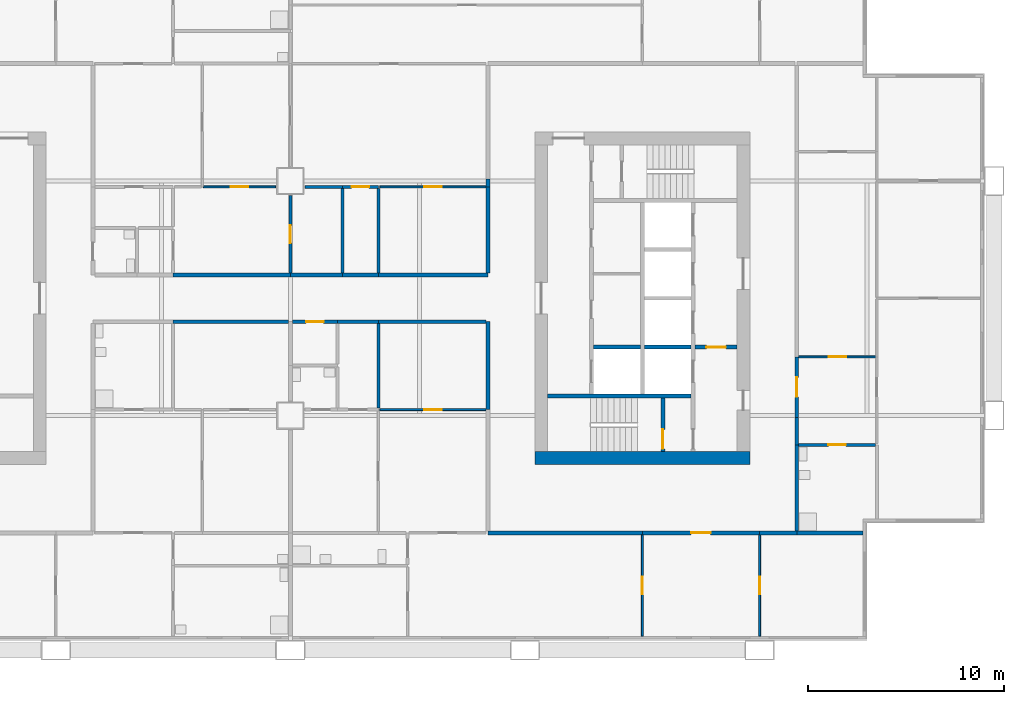
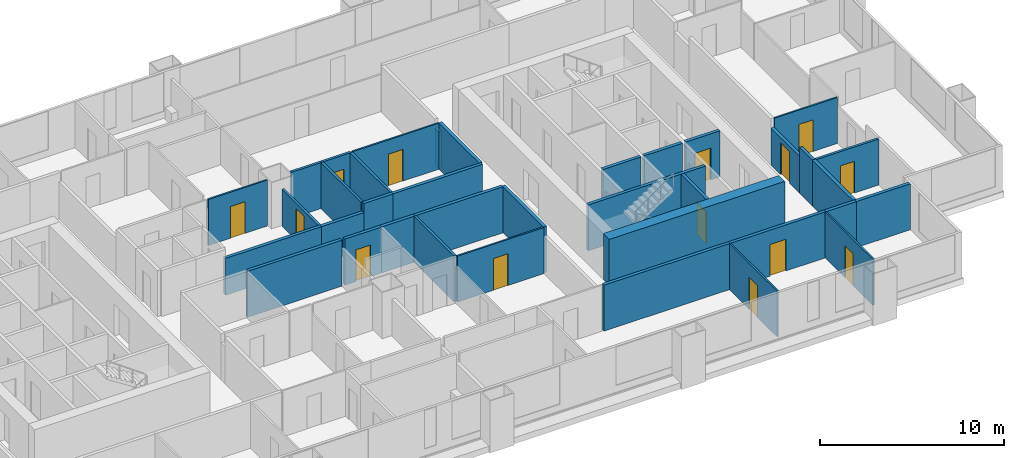
# One storey, part 6 of 11: 37 walls, 14 doors, 14 openings.
"""IFC4 building model written with IfcOpenShell, lengths in metres."""

import ifcopenshell
import ifcopenshell.guid

model = None  # the IFC model being written
_history = None  # IfcOwnerHistory: only IFC2X3 demands one
_inside = {}  # id of a spatial element -> (the spatial element, [elements in it])
_under = {}  # id of a project, library or spatial element -> (it, [spatial elements below it])
_declared = {}  # id of a project -> (the project, [libraries it declares])
_typed = {}  # id of a type object -> (the type object, [elements of that type])
_made_of = {}  # id of a material, layer set ... -> (it, [elements and type objects made of it])


def new_model(schema):
    """Start an empty IFC model of exactly this schema.

    Asked for "IFC4X3", IfcOpenShell would pick the latest addendum, in which some entities
    have other attributes; the version numbers below select the first issue.
    IFC2X3 requires an IfcOwnerHistory on every rooted entity: one is made here for all.
    """
    global model, _history
    if schema == "IFC4X3":
        model = ifcopenshell.file(schema_version=(4, 3, 0, 0))
    else:
        model = ifcopenshell.file(schema=schema)
    _inside.clear()
    _under.clear()
    _declared.clear()
    _typed.clear()
    _made_of.clear()
    _history = None
    if model.schema == "IFC2X3":
        org = make("IfcOrganization", Name="unknown")
        user = make(
            "IfcPersonAndOrganization",
            ThePerson=make("IfcPerson", FamilyName="unknown"),
            TheOrganization=org,
        )
        app = make(
            "IfcApplication",
            ApplicationDeveloper=org,
            Version="unknown",
            ApplicationFullName="unknown",
            ApplicationIdentifier="unknown",
        )
        _history = make(
            "IfcOwnerHistory",
            OwningUser=user,
            OwningApplication=app,
            ChangeAction="ADDED",
            CreationDate=0,
        )
    return model


def make(cls, **values):
    """One entity of the class cls with the attributes given. An attribute that is None is left unset."""
    return model.create_entity(
        cls, **{name: value for name, value in values.items() if value is not None}
    )


def rooted(cls, **values):
    """An entity with a GlobalId (a new one), such as an element, a storey or a relation."""
    return make(cls, GlobalId=ifcopenshell.guid.new(), OwnerHistory=_history, **values)


def si_unit(unit_type, name, prefix=None):
    """IfcSIUnit, for example si_unit("LENGTHUNIT", "METRE", prefix="MILLI")."""
    return make("IfcSIUnit", UnitType=unit_type, Prefix=prefix, Name=name)


def assignment(units):
    """IfcUnitAssignment: the units of a project."""
    return None if units is None else make("IfcUnitAssignment", Units=units)


def point(xyz):
    """IfcCartesianPoint."""
    return None if xyz is None else make("IfcCartesianPoint", Coordinates=xyz)


def direction(xyz):
    """IfcDirection."""
    return None if xyz is None else make("IfcDirection", DirectionRatios=xyz)


def frame(location, z_axis=None, x_axis=None):
    """IfcAxis2Placement3D, a coordinate frame: its origin and axes. An axis left out is left unset."""
    return make(
        "IfcAxis2Placement3D",
        Location=point(location),
        Axis=direction(z_axis),
        RefDirection=direction(x_axis),
    )


def frame_2d(location, x_axis=None):
    """IfcAxis2Placement2D, a coordinate frame in the plane: its origin and x axis."""
    return make(
        "IfcAxis2Placement2D", Location=point(location), RefDirection=direction(x_axis)
    )


def origin():
    """The frame at (0, 0, 0) with its axes left unset."""
    return frame((0.0, 0.0, 0.0))


def place(relative_to, where):
    """IfcLocalPlacement: puts the frame where relative to a parent placement (None: the world)."""
    return make(
        "IfcLocalPlacement", PlacementRelTo=relative_to, RelativePlacement=where
    )


def context(
    kind, dimensions, precision=None, world=None, true_north=None, identifier=None
):
    """IfcGeometricRepresentationContext, for example the 3D "Model" context."""
    return make(
        "IfcGeometricRepresentationContext",
        ContextIdentifier=identifier,
        ContextType=kind,
        CoordinateSpaceDimension=dimensions,
        Precision=precision,
        WorldCoordinateSystem=world,
        TrueNorth=true_north,
    )


def subcontext(parent, identifier, kind, view, scale=None):
    """IfcGeometricRepresentationSubContext, for example "Body" below "Model"."""
    return make(
        "IfcGeometricRepresentationSubContext",
        ContextIdentifier=identifier,
        ContextType=kind,
        ParentContext=parent,
        TargetScale=scale,
        TargetView=view,
    )


def project(units=None, contexts=None):
    """IfcProject with its units and contexts."""
    return rooted(
        "IfcProject",
        Name="project",
        RepresentationContexts=contexts,
        UnitsInContext=assignment(units),
    )


def spatial(cls, under=None, at=None, **own):
    """A site, building, storey or space (cls), placed at a placement, below another one or the project."""
    s = rooted(cls, ObjectPlacement=at, **own)
    if under is not None:
        _under.setdefault(under.id(), (under, []))[1].append(s)
    return s


def profile(cls, at=None, kind="AREA", **sizes):
    """A parametric profile (cls). Its sizes go by their IFC names, for example OverallWidth=200.0."""
    return make(cls, ProfileType=kind, Position=at, **sizes)


def rectangle(**sizes):
    """IfcRectangleProfileDef."""
    return profile("IfcRectangleProfileDef", **sizes)


def extrude(swept, where, along, depth):
    """IfcExtrudedAreaSolid: the profile swept, set in the frame where, extruded along a direction by depth."""
    return make(
        "IfcExtrudedAreaSolid",
        SweptArea=swept,
        Position=where,
        ExtrudedDirection=direction(along),
        Depth=depth,
    )


def shape(context_of_items, identifier, shape_type, items):
    """IfcShapeRepresentation: the items that make up one representation, for example the "Body"."""
    return make(
        "IfcShapeRepresentation",
        ContextOfItems=context_of_items,
        RepresentationIdentifier=identifier,
        RepresentationType=shape_type,
        Items=items,
    )


def material(Name=None, Category=None):
    """IfcMaterial."""
    return make("IfcMaterial", Name=Name, Category=Category)


def layer(
    of_material, thickness, ventilated=None, Name=None, Category=None, Priority=None
):
    """IfcMaterialLayer: one layer of a wall or slab, of a material (None: an air gap)."""
    return make(
        "IfcMaterialLayer",
        Material=of_material,
        LayerThickness=thickness,
        IsVentilated=ventilated,
        Name=Name,
        Category=Category,
        Priority=Priority,
    )


def layer_set(layers, Name=None):
    """IfcMaterialLayerSet."""
    return make("IfcMaterialLayerSet", MaterialLayers=layers, LayerSetName=Name)


def made_of(thing, what):
    """Note that an element or type object is made of a material, layer set ...; save() writes the relation."""
    if what is not None:
        _made_of.setdefault(what.id(), (what, []))[1].append(thing)
    return thing


def type_object(cls, material=None, **own):
    """A type object (cls), such as IfcWallType, which elements share."""
    return made_of(rooted(cls, **own), material)


def element(
    cls,
    number,
    at=None,
    inside=None,
    cuts=None,
    type_object=None,
    material=None,
    context=None,
    identifier="Body",
    shape_type=None,
    held_by="IfcProductDefinitionShape",
    body=None,
    shapes=None,
    **own,
):
    """One element of the class cls, such as IfcWall. Its Tag is "e" and its number.

    at: its placement. inside: the storey or other place that contains it. cuts: it is an
    opening in that element (IfcRelVoidsElement). A single representation is given by context,
    identifier, shape_type and body (its items); several are given by shapes. held_by: the class
    of the entity that holds the representations. save() writes the other relations.
    """
    e = rooted(cls, Tag="e%d" % number, ObjectPlacement=at, **own)
    if body is not None:
        shapes = [shape(context, identifier, shape_type, body)]
    if shapes is not None:
        e.Representation = make(held_by, Representations=shapes)
    if inside is not None:
        _inside.setdefault(inside.id(), (inside, []))[1].append(e)
    if cuts is not None:
        rooted(
            "IfcRelVoidsElement", RelatingBuildingElement=cuts, RelatedOpeningElement=e
        )
    if type_object is not None:
        _typed.setdefault(type_object.id(), (type_object, []))[1].append(e)
    return made_of(e, material)


def fill(opening, filler):
    """IfcRelFillsElement: the door or window that sits in an opening."""
    return rooted(
        "IfcRelFillsElement",
        RelatingOpeningElement=opening,
        RelatedBuildingElement=filler,
    )


def aggregate(whole, parts):
    """IfcRelAggregates: a whole, such as a stair, and the parts it consists of."""
    return rooted("IfcRelAggregates", RelatingObject=whole, RelatedObjects=parts)


def save(model, path):
    """Write the relations noted so far, then the file.

    IfcRelAggregates (storeys below a building ...), IfcRelContainedInSpatialStructure (elements
    in a storey), IfcRelDefinesByType, IfcRelAssociatesMaterial and IfcRelDeclares: one each for
    every whole, place, type object, material and project.
    """
    for whole, parts in _under.values():
        aggregate(whole, parts)
    for where, things in _inside.values():
        rooted(
            "IfcRelContainedInSpatialStructure",
            RelatedElements=things,
            RelatingStructure=where,
        )
    for kind, things in _typed.values():
        rooted("IfcRelDefinesByType", RelatedObjects=things, RelatingType=kind)
    for what, things in _made_of.values():
        rooted("IfcRelAssociatesMaterial", RelatedObjects=things, RelatingMaterial=what)
    for by, libraries in _declared.values():
        rooted("IfcRelDeclares", RelatingContext=by, RelatedDefinitions=libraries)
    model.write(path)


model = new_model("IFC4")

# Units and contexts
model_context = context("Model", 3, precision=1e-05, world=origin(), true_north=direction((0.0, 1.0)))
body_context = subcontext(model_context, "Body", "Model", "MODEL_VIEW")
ifc_project = project(units=[si_unit("LENGTHUNIT", "METRE"), si_unit("AREAUNIT", "SQUARE_METRE"), si_unit("VOLUMEUNIT", "CUBIC_METRE"), si_unit("PLANEANGLEUNIT", "RADIAN"), si_unit("MASSUNIT", "GRAM", prefix="KILO")], contexts=[model_context])

# Site, building, storey
site_placement = place(None, origin())
site = spatial("IfcSite", under=ifc_project, at=site_placement, CompositionType="ELEMENT")
building_placement = place(site_placement, origin())
building = spatial("IfcBuilding", under=site, at=building_placement, Name="Kitamizu Gate Tower and Museum", CompositionType="ELEMENT")
storey_placement = place(building_placement, frame((0.0, 0.0, 103.5)))
storey = spatial("IfcBuildingStorey", under=building, at=storey_placement, Name="L26", CompositionType="ELEMENT", Elevation=103.5)

# Wall
ifc_material_1 = material(Name="Concrete Fc60", Category="concrete")
ifc_layer_1 = layer(ifc_material_1, 0.64990234375)
ifc_layer_set_1 = layer_set([ifc_layer_1], Name="Concrete Fc60")
wall_type_1 = type_object("IfcWallType", Name="Core wall 650", PredefinedType="SHEAR", material=ifc_layer_set_1)
wall_1_placement = place(storey_placement, frame((59.5, 21.824951171875, 0.0), z_axis=(0.0, 0.0, 1.0), x_axis=(-1.0, 0.0, 0.0)))
element("IfcWall", 1, at=wall_1_placement, inside=storey, type_object=wall_type_1, Name="Core wall ES", PredefinedType="SHEAR", context=body_context, shape_type="SweptSolid", body=[
    extrude(rectangle(XDim=11.0, YDim=0.64990234375, at=frame_2d((5.5, 0.0))), origin(), (0.0, 0.0, 1.0), 3.050048828125),
])

# Wall, opening, door
ifc_material_2 = material(Name="Gypsum board on galvanised stud")
ifc_layer_2 = layer(ifc_material_2, 0.10009765625)
ifc_layer_set_2 = layer_set([ifc_layer_2], Name="Gypsum board on galvanised stud")
wall_type_2 = type_object("IfcWallType", Name="Partition 100 NOT RATED", PredefinedType="PARTITIONING", material=ifc_layer_set_2)
wall_2_placement = place(storey_placement, frame((54.0, 12.719970703125, 0.0), z_axis=(0.0, 0.0, 1.0), x_axis=(0.0, 1.0, 0.0)))
wall_2 = element("IfcWall", 2, at=wall_2_placement, inside=storey, type_object=wall_type_2, Name="Partition L26-054", PredefinedType="PARTITIONING", context=body_context, shape_type="SweptSolid", body=[
    extrude(rectangle(XDim=5.179931640625, YDim=0.10009765625, at=frame_2d((2.58984375, 0.0))), origin(), (0.0, 0.0, 1.0), 3.050048828125),
])
opening_1_placement = place(wall_2_placement, frame((2.139892578125, 0.0, 0.0)))
opening_1 = element("IfcOpeningElement", 3, at=opening_1_placement, cuts=wall_2, Name="Opening L26-019", PredefinedType="OPENING", context=body_context, shape_type="SweptSolid", body=[
    extrude(rectangle(XDim=0.89990234375, YDim=2.10009765625, at=frame_2d((0.449951171875, 1.050048828125))), frame((0.0, 0.06005859375, 0.0), z_axis=(0.0, -1.0, 0.0), x_axis=(1.0, 0.0, 0.0)), (0.0, 0.0, 1.0), 0.1201171875),
])
ifc_material_3 = material(Name="Timber door set", Category="wood")
door_type_1 = type_object("IfcDoorType", Name="Room door 900", OperationType="NOTDEFINED", PredefinedType="DOOR", material=ifc_material_3)
door_1_placement = place(opening_1_placement, origin())
door_1 = element("IfcDoor", 4, at=door_1_placement, inside=storey, type_object=door_type_1, Name="Door L26-019", OperationType="SINGLE_SWING_RIGHT", OverallHeight=2.10009765625, OverallWidth=0.89990234375, PredefinedType="DOOR", context=body_context, shape_type="SweptSolid", body=[
    extrude(rectangle(XDim=0.89990234375, YDim=2.10009765625, at=frame_2d((0.449951171875, 1.050048828125))), frame((0.0, 0.02490234375, 0.0), z_axis=(0.0, -1.0, 0.0), x_axis=(1.0, 0.0, 0.0)), (0.0, 0.0, 1.0), 0.050048828125),
])
fill(opening_1, door_1)

wall_3_placement = place(storey_placement, frame((60.0, 12.719970703125, 0.0), z_axis=(0.0, 0.0, 1.0), x_axis=(0.0, 1.0, 0.0)))
wall_3 = element("IfcWall", 5, at=wall_3_placement, inside=storey, type_object=wall_type_2, Name="Partition L26-057", PredefinedType="PARTITIONING", context=body_context, shape_type="SweptSolid", body=[
    extrude(rectangle(XDim=5.179931640625, YDim=0.10009765625, at=frame_2d((2.58984375, 0.0))), origin(), (0.0, 0.0, 1.0), 3.050048828125),
])
opening_2_placement = place(wall_3_placement, frame((2.139892578125, 0.0, 0.0)))
opening_2 = element("IfcOpeningElement", 6, at=opening_2_placement, cuts=wall_3, Name="Opening L26-020", PredefinedType="OPENING", context=body_context, shape_type="SweptSolid", body=[
    extrude(rectangle(XDim=0.89990234375, YDim=2.10009765625, at=frame_2d((0.449951171875, 1.050048828125))), frame((0.0, 0.06005859375, 0.0), z_axis=(0.0, -1.0, 0.0), x_axis=(1.0, 0.0, 0.0)), (0.0, 0.0, 1.0), 0.1201171875),
])
door_2_placement = place(opening_2_placement, frame((0.89990234375, 0.0, 0.0), x_axis=(-1.0, 0.0, 0.0)))
door_2 = element("IfcDoor", 7, at=door_2_placement, inside=storey, type_object=door_type_1, Name="Door L26-020", OperationType="SINGLE_SWING_RIGHT", OverallHeight=2.10009765625, OverallWidth=0.89990234375, PredefinedType="DOOR", context=body_context, shape_type="SweptSolid", body=[
    extrude(rectangle(XDim=0.89990234375, YDim=2.10009765625, at=frame_2d((0.449951171875, 1.050048828125))), frame((0.0, 0.02490234375, 0.0), z_axis=(0.0, -1.0, 0.0), x_axis=(1.0, 0.0, 0.0)), (0.0, 0.0, 1.0), 0.050048828125),
])
fill(opening_2, door_2)

wall_4_placement = place(storey_placement, frame((46.0, 24.300048828125, 0.0), z_axis=(0.0, 0.0, 1.0), x_axis=(-1.0, 0.0, 0.0)))
wall_4 = element("IfcWall", 8, at=wall_4_placement, inside=storey, type_object=wall_type_2, Name="Partition L26-064", PredefinedType="PARTITIONING", context=body_context, shape_type="SweptSolid", body=[
    extrude(rectangle(XDim=5.425048828125, YDim=0.10009765625, at=frame_2d((2.71240234375, 0.0))), origin(), (0.0, 0.0, 1.0), 3.050048828125),
])
opening_3_placement = place(wall_4_placement, frame((2.262451171875, 0.0, 0.0)))
opening_3 = element("IfcOpeningElement", 9, at=opening_3_placement, cuts=wall_4, Name="Opening L26-027", PredefinedType="OPENING", context=body_context, shape_type="SweptSolid", body=[
    extrude(rectangle(XDim=0.89990234375, YDim=2.10009765625, at=frame_2d((0.449951171875, 1.050048828125))), frame((0.0, 0.06005859375, 0.0), z_axis=(0.0, -1.0, 0.0), x_axis=(1.0, 0.0, 0.0)), (0.0, 0.0, 1.0), 0.1201171875),
])
door_3_placement = place(opening_3_placement, frame((0.89990234375, 0.0, 0.0), x_axis=(-1.0, 0.0, 0.0)))
door_3 = element("IfcDoor", 10, at=door_3_placement, inside=storey, type_object=door_type_1, Name="Door L26-027", OperationType="SINGLE_SWING_LEFT", OverallHeight=2.10009765625, OverallWidth=0.89990234375, PredefinedType="DOOR", context=body_context, shape_type="SweptSolid", body=[
    extrude(rectangle(XDim=0.89990234375, YDim=2.10009765625, at=frame_2d((0.449951171875, 1.050048828125))), frame((0.0, 0.02490234375, 0.0), z_axis=(0.0, -1.0, 0.0), x_axis=(1.0, 0.0, 0.0)), (0.0, 0.0, 1.0), 0.050048828125),
])
fill(opening_3, door_3)

wall_5_placement = place(storey_placement, frame((65.949951171875, 27.0, 0.0), z_axis=(0.0, 0.0, 1.0), x_axis=(-1.0, 0.0, 0.0)))
wall_5 = element("IfcWall", 11, at=wall_5_placement, inside=storey, type_object=wall_type_2, Name="Partition L26-085", PredefinedType="PARTITIONING", context=body_context, shape_type="SweptSolid", body=[
    extrude(rectangle(XDim=3.949951171875, YDim=0.10009765625, at=frame_2d((1.97509765625, 0.0))), origin(), (0.0, 0.0, 1.0), 3.050048828125),
])
opening_4_placement = place(wall_5_placement, frame((1.52490234375, 0.0, 0.0)))
opening_4 = element("IfcOpeningElement", 12, at=opening_4_placement, cuts=wall_5, Name="Opening L26-031", PredefinedType="OPENING", context=body_context, shape_type="SweptSolid", body=[
    extrude(rectangle(XDim=0.89990234375, YDim=2.10009765625, at=frame_2d((0.449951171875, 1.050048828125))), frame((0.0, 0.06005859375, 0.0), z_axis=(0.0, -1.0, 0.0), x_axis=(1.0, 0.0, 0.0)), (0.0, 0.0, 1.0), 0.1201171875),
])
door_4_placement = place(opening_4_placement, origin())
door_4 = element("IfcDoor", 13, at=door_4_placement, inside=storey, type_object=door_type_1, Name="Door L26-031", OperationType="SINGLE_SWING_LEFT", OverallHeight=2.10009765625, OverallWidth=0.89990234375, PredefinedType="DOOR", context=body_context, shape_type="SweptSolid", body=[
    extrude(rectangle(XDim=0.89990234375, YDim=2.10009765625, at=frame_2d((0.449951171875, 1.050048828125))), frame((0.0, 0.02490234375, 0.0), z_axis=(0.0, -1.0, 0.0), x_axis=(1.0, 0.0, 0.0)), (0.0, 0.0, 1.0), 0.050048828125),
])
fill(opening_4, door_4)

wall_6_placement = place(storey_placement, frame((31.550048828125, 35.699951171875, 0.0), z_axis=(0.0, 0.0, 1.0), x_axis=(1.0, 0.0, 0.0)))
wall_6 = element("IfcWall", 14, at=wall_6_placement, inside=storey, type_object=wall_type_2, Name="Partition L26-122", PredefinedType="PARTITIONING", context=body_context, shape_type="SweptSolid", body=[
    extrude(rectangle(XDim=3.699951171875, YDim=0.10009765625, at=frame_2d((1.85009765625, 0.0))), origin(), (0.0, 0.0, 1.0), 3.050048828125),
])
opening_5_placement = place(wall_6_placement, frame((1.39990234375, 0.0, 0.0)))
opening_5 = element("IfcOpeningElement", 15, at=opening_5_placement, cuts=wall_6, Name="Opening L26-045", PredefinedType="OPENING", context=body_context, shape_type="SweptSolid", body=[
    extrude(rectangle(XDim=0.89990234375, YDim=2.10009765625, at=frame_2d((0.449951171875, 1.050048828125))), frame((0.0, 0.06005859375, 0.0), z_axis=(0.0, -1.0, 0.0), x_axis=(1.0, 0.0, 0.0)), (0.0, 0.0, 1.0), 0.1201171875),
])
door_5_placement = place(opening_5_placement, frame((0.89990234375, 0.0, 0.0), x_axis=(-1.0, 0.0, 0.0)))
door_5 = element("IfcDoor", 16, at=door_5_placement, inside=storey, type_object=door_type_1, Name="Door L26-045", OperationType="SINGLE_SWING_RIGHT", OverallHeight=2.10009765625, OverallWidth=0.89990234375, PredefinedType="DOOR", context=body_context, shape_type="SweptSolid", body=[
    extrude(rectangle(XDim=0.89990234375, YDim=2.10009765625, at=frame_2d((0.449951171875, 1.050048828125))), frame((0.0, 0.02490234375, 0.0), z_axis=(0.0, -1.0, 0.0), x_axis=(1.0, 0.0, 0.0)), (0.0, 0.0, 1.0), 0.050048828125),
])
fill(opening_5, door_5)

wall_7_placement = place(storey_placement, frame((40.574951171875, 35.699951171875, 0.0), z_axis=(0.0, 0.0, 1.0), x_axis=(1.0, 0.0, 0.0)))
wall_7 = element("IfcWall", 17, at=wall_7_placement, inside=storey, type_object=wall_type_2, Name="Partition L26-137", PredefinedType="PARTITIONING", context=body_context, shape_type="SweptSolid", body=[
    extrude(rectangle(XDim=5.425048828125, YDim=0.10009765625, at=frame_2d((2.71240234375, 0.0))), origin(), (0.0, 0.0, 1.0), 3.050048828125),
])
opening_6_placement = place(wall_7_placement, frame((2.262451171875, 0.0, 0.0)))
opening_6 = element("IfcOpeningElement", 18, at=opening_6_placement, cuts=wall_7, Name="Opening L26-049", PredefinedType="OPENING", context=body_context, shape_type="SweptSolid", body=[
    extrude(rectangle(XDim=0.89990234375, YDim=2.10009765625, at=frame_2d((0.449951171875, 1.050048828125))), frame((0.0, 0.06005859375, 0.0), z_axis=(0.0, -1.0, 0.0), x_axis=(1.0, 0.0, 0.0)), (0.0, 0.0, 1.0), 0.1201171875),
])
door_6_placement = place(opening_6_placement, frame((0.89990234375, 0.0, 0.0), x_axis=(-1.0, 0.0, 0.0)))
door_6 = element("IfcDoor", 19, at=door_6_placement, inside=storey, type_object=door_type_1, Name="Door L26-049", OperationType="SINGLE_SWING_LEFT", OverallHeight=2.10009765625, OverallWidth=0.89990234375, PredefinedType="DOOR", context=body_context, shape_type="SweptSolid", body=[
    extrude(rectangle(XDim=0.89990234375, YDim=2.10009765625, at=frame_2d((0.449951171875, 1.050048828125))), frame((0.0, 0.02490234375, 0.0), z_axis=(0.0, -1.0, 0.0), x_axis=(1.0, 0.0, 0.0)), (0.0, 0.0, 1.0), 0.050048828125),
])
fill(opening_6, door_6)

# Wall
ifc_material_4 = material(Name="Gypsum board on galvanised stud")
ifc_layer_3 = layer(ifc_material_4, 0.14990234375)
ifc_layer_set_3 = layer_set([ifc_layer_3], Name="Gypsum board on galvanised stud")
wall_type_3 = type_object("IfcWallType", Name="Partition 150", PredefinedType="PARTITIONING", material=ifc_layer_set_3)
wall_8_placement = place(storey_placement, frame((40.5, 24.375, 0.0), z_axis=(0.0, 0.0, 1.0), x_axis=(0.0, 1.0, 0.0)))
element("IfcWall", 20, at=wall_8_placement, inside=storey, type_object=wall_type_3, Name="Partition L26-070", PredefinedType="PARTITIONING", context=body_context, shape_type="SweptSolid", body=[
    extrude(rectangle(XDim=4.324951171875, YDim=0.14990234375, at=frame_2d((2.16259765625, 0.0))), origin(), (0.0, 0.0, 1.0), 3.050048828125),
])

# Wall, opening, door
wall_9_placement = place(storey_placement, frame((65.925048828125, 22.5, 0.0), z_axis=(0.0, 0.0, 1.0), x_axis=(-1.0, 0.0, 0.0)))
wall_9 = element("IfcWall", 21, at=wall_9_placement, inside=storey, type_object=wall_type_3, Name="Partition L26-083", PredefinedType="PARTITIONING", context=body_context, shape_type="SweptSolid", body=[
    extrude(rectangle(XDim=3.925048828125, YDim=0.14990234375, at=frame_2d((1.96240234375, 0.0))), origin(), (0.0, 0.0, 1.0), 3.050048828125),
])
opening_7_placement = place(wall_9_placement, frame((1.512451171875, 0.0, 0.0)))
opening_7 = element("IfcOpeningElement", 22, at=opening_7_placement, cuts=wall_9, Name="Opening L26-033", PredefinedType="OPENING", context=body_context, shape_type="SweptSolid", body=[
    extrude(rectangle(XDim=0.89990234375, YDim=2.10009765625, at=frame_2d((0.449951171875, 1.050048828125))), frame((0.0, 0.0849609375, 0.0), z_axis=(0.0, -1.0, 0.0), x_axis=(1.0, 0.0, 0.0)), (0.0, 0.0, 1.0), 0.169921875),
])
ifc_material_5 = material(Name="Timber door set", Category="wood")
door_type_2 = type_object("IfcDoorType", Name="Bathroom door 900", OperationType="NOTDEFINED", PredefinedType="DOOR", material=ifc_material_5)
door_7_placement = place(opening_7_placement, origin())
door_7 = element("IfcDoor", 23, at=door_7_placement, inside=storey, type_object=door_type_2, Name="Bathroom door L26-033", OperationType="SINGLE_SWING_LEFT", OverallHeight=2.10009765625, OverallWidth=0.89990234375, PredefinedType="DOOR", context=body_context, shape_type="SweptSolid", body=[
    extrude(rectangle(XDim=0.89990234375, YDim=2.10009765625, at=frame_2d((0.449951171875, 1.050048828125))), frame((0.0, 0.02490234375, 0.0), z_axis=(0.0, -1.0, 0.0), x_axis=(1.0, 0.0, 0.0)), (0.0, 0.0, 1.0), 0.050048828125),
])
fill(opening_7, door_7)

wall_10_placement = place(storey_placement, frame((36.0, 31.300048828125, 0.0), z_axis=(0.0, 0.0, 1.0), x_axis=(0.0, 1.0, 0.0)))
wall_10 = element("IfcWall", 24, at=wall_10_placement, inside=storey, type_object=wall_type_3, Name="Partition L26-133", PredefinedType="PARTITIONING", context=body_context, shape_type="SweptSolid", body=[
    extrude(rectangle(XDim=3.949951171875, YDim=0.14990234375, at=frame_2d((1.97509765625, 0.0))), origin(), (0.0, 0.0, 1.0), 2.449951171875),
])
opening_8_placement = place(wall_10_placement, frame((1.52490234375, 0.0, 0.0)))
opening_8 = element("IfcOpeningElement", 25, at=opening_8_placement, cuts=wall_10, Name="Opening L26-047", PredefinedType="OPENING", context=body_context, shape_type="SweptSolid", body=[
    extrude(rectangle(XDim=0.89990234375, YDim=2.10009765625, at=frame_2d((0.449951171875, 1.050048828125))), frame((0.0, 0.0849609375, 0.0), z_axis=(0.0, -1.0, 0.0), x_axis=(1.0, 0.0, 0.0)), (0.0, 0.0, 1.0), 0.169921875),
])
door_8_placement = place(opening_8_placement, frame((0.89990234375, 0.0, 0.0), x_axis=(-1.0, 0.0, 0.0)))
door_8 = element("IfcDoor", 26, at=door_8_placement, inside=storey, type_object=door_type_2, Name="Bathroom door L26-047", OperationType="SINGLE_SWING_LEFT", OverallHeight=2.10009765625, OverallWidth=0.89990234375, PredefinedType="DOOR", context=body_context, shape_type="SweptSolid", body=[
    extrude(rectangle(XDim=0.89990234375, YDim=2.10009765625, at=frame_2d((0.449951171875, 1.050048828125))), frame((0.0, 0.02490234375, 0.0), z_axis=(0.0, -1.0, 0.0), x_axis=(1.0, 0.0, 0.0)), (0.0, 0.0, 1.0), 0.050048828125),
])
fill(opening_8, door_8)

# Wall
wall_11_placement = place(storey_placement, frame((36.75, 35.699951171875, 0.0), z_axis=(0.0, 0.0, 1.0), x_axis=(1.0, 0.0, 0.0)))
element("IfcWall", 27, at=wall_11_placement, inside=storey, type_object=wall_type_3, Name="Partition L26-135", PredefinedType="PARTITIONING", context=body_context, shape_type="SweptSolid", body=[
    extrude(rectangle(XDim=1.9169921875, YDim=0.14990234375, at=frame_2d((0.95849609375, 0.0))), origin(), (0.0, 0.0, 1.0), 3.050048828125),
])

# Wall, opening, door
wall_12_placement = place(storey_placement, frame((38.6669921875, 35.699951171875, 0.0), z_axis=(0.0, 0.0, 1.0), x_axis=(1.0, 0.0, 0.0)))
wall_12 = element("IfcWall", 28, at=wall_12_placement, inside=storey, type_object=wall_type_3, Name="Partition L26-136", PredefinedType="PARTITIONING", context=body_context, shape_type="SweptSolid", body=[
    extrude(rectangle(XDim=1.8330078125, YDim=0.14990234375, at=frame_2d((0.91650390625, 0.0))), origin(), (0.0, 0.0, 1.0), 3.050048828125),
])
opening_9_placement = place(wall_12_placement, frame((0.466552734375, 0.0, 0.0)))
opening_9 = element("IfcOpeningElement", 29, at=opening_9_placement, cuts=wall_12, Name="Opening L26-048", PredefinedType="OPENING", context=body_context, shape_type="SweptSolid", body=[
    extrude(rectangle(XDim=0.89990234375, YDim=2.10009765625, at=frame_2d((0.449951171875, 1.050048828125))), frame((0.0, 0.0849609375, 0.0), z_axis=(0.0, -1.0, 0.0), x_axis=(1.0, 0.0, 0.0)), (0.0, 0.0, 1.0), 0.169921875),
])
door_9_placement = place(opening_9_placement, frame((0.89990234375, 0.0, 0.0), x_axis=(-1.0, 0.0, 0.0)))
door_9 = element("IfcDoor", 30, at=door_9_placement, inside=storey, type_object=door_type_2, Name="Bathroom door L26-048", OperationType="SINGLE_SWING_RIGHT", OverallHeight=2.10009765625, OverallWidth=0.89990234375, PredefinedType="DOOR", context=body_context, shape_type="SweptSolid", body=[
    extrude(rectangle(XDim=0.89990234375, YDim=2.10009765625, at=frame_2d((0.449951171875, 1.050048828125))), frame((0.0, 0.02490234375, 0.0), z_axis=(0.0, -1.0, 0.0), x_axis=(1.0, 0.0, 0.0)), (0.0, 0.0, 1.0), 0.050048828125),
])
fill(opening_9, door_9)

# Walls
for number, where, z_axis, x_axis, name in (
    (31, (38.6669921875, 31.300048828125, 0.0), (0.0, 0.0, 1.0), (0.0, 1.0, 0.0), "Partition L26-140"),
    (32, (40.5, 31.300048828125, 0.0), (0.0, 0.0, 1.0), (0.0, 1.0, 0.0), "Partition L26-142"),
):
    element("IfcWall", number, at=place(storey_placement, frame(where, z_axis=z_axis, x_axis=x_axis)), inside=storey, type_object=wall_type_3, Name=name, PredefinedType="PARTITIONING", context=body_context, shape_type="SweptSolid", body=[
        extrude(rectangle(XDim=4.324951171875, YDim=0.14990234375, at=frame_2d((2.16259765625, 0.0))), origin(), (0.0, 0.0, 1.0), 3.050048828125),
    ])
ifc_material_6 = material(Name="Gypsum board on galvanised stud")
ifc_layer_4 = layer(ifc_material_6, 0.199951171875)
ifc_layer_set_4 = layer_set([ifc_layer_4], Name="Gypsum board on galvanised stud")
wall_type_4 = type_object("IfcWallType", Name="Partition 200", PredefinedType="PARTITIONING", material=ifc_layer_set_4)
wall_13_placement = place(storey_placement, frame((35.89990234375, 28.800048828125, 0.0), z_axis=(0.0, 0.0, 1.0), x_axis=(-1.0, 0.0, 0.0)))
element("IfcWall", 33, at=wall_13_placement, inside=storey, type_object=wall_type_4, Name="Partition L26-029", PredefinedType="PARTITIONING", context=body_context, shape_type="SweptSolid", body=[
    extrude(rectangle(XDim=5.89990234375, YDim=0.199951171875, at=frame_2d((2.949951171875, 0.0))), origin(), (0.0, 0.0, 1.0), 3.050048828125),
])
wall_14_placement = place(storey_placement, frame((54.0, 18.0, 0.0), z_axis=(0.0, 0.0, 1.0), x_axis=(-1.0, 0.0, 0.0)))
element("IfcWall", 34, at=wall_14_placement, inside=storey, type_object=wall_type_4, Name="Partition L26-056", PredefinedType="PARTITIONING", context=body_context, shape_type="SweptSolid", body=[
    extrude(rectangle(XDim=7.89990234375, YDim=0.199951171875, at=frame_2d((3.949951171875, 0.0))), origin(), (0.0, 0.0, 1.0), 3.050048828125),
])

# Wall, opening, door
wall_15_placement = place(storey_placement, frame((60.0, 18.0, 0.0), z_axis=(0.0, 0.0, 1.0), x_axis=(-1.0, 0.0, 0.0)))
wall_15 = element("IfcWall", 35, at=wall_15_placement, inside=storey, type_object=wall_type_4, Name="Partition L26-058", PredefinedType="PARTITIONING", context=body_context, shape_type="SweptSolid", body=[
    extrude(rectangle(XDim=6.0, YDim=0.199951171875, at=frame_2d((3.0, 0.0))), origin(), (0.0, 0.0, 1.0), 3.050048828125),
])
opening_10_placement = place(wall_15_placement, frame((2.5, 0.0, 0.0)))
opening_10 = element("IfcOpeningElement", 36, at=opening_10_placement, cuts=wall_15, Name="Opening L26-018", PredefinedType="OPENING", context=body_context, shape_type="SweptSolid", body=[
    extrude(rectangle(XDim=1.0, YDim=2.10009765625, at=frame_2d((0.5, 1.050048828125))), frame((0.0, 0.10986328125, 0.0), z_axis=(0.0, -1.0, 0.0), x_axis=(1.0, 0.0, 0.0)), (0.0, 0.0, 1.0), 0.219970703125),
])
ifc_material_7 = material(Name="Timber door set", Category="wood")
door_type_3 = type_object("IfcDoorType", Name="Flat entrance door 1000", OperationType="NOTDEFINED", PredefinedType="DOOR", material=ifc_material_7)
door_10_placement = place(opening_10_placement, origin())
door_10 = element("IfcDoor", 37, at=door_10_placement, inside=storey, type_object=door_type_3, Name="Flat entrance door L26-018", OperationType="SINGLE_SWING_LEFT", OverallHeight=2.10009765625, OverallWidth=1.0, PredefinedType="DOOR", context=body_context, shape_type="SweptSolid", body=[
    extrude(rectangle(XDim=1.0, YDim=2.10009765625, at=frame_2d((0.5, 1.050048828125))), frame((0.0, 0.02490234375, 0.0), z_axis=(0.0, -1.0, 0.0), x_axis=(1.0, 0.0, 0.0)), (0.0, 0.0, 1.0), 0.050048828125),
])
fill(opening_10, door_10)

# Walls
wall_16_placement = place(storey_placement, frame((65.280029296875, 18.0, 0.0), z_axis=(0.0, 0.0, 1.0), x_axis=(-1.0, 0.0, 0.0)))
element("IfcWall", 38, at=wall_16_placement, inside=storey, type_object=wall_type_4, Name="Partition L26-059", PredefinedType="PARTITIONING", context=body_context, shape_type="SweptSolid", body=[
    extrude(rectangle(XDim=3.380126953125, YDim=0.199951171875, at=frame_2d((1.68994140625, 0.0))), origin(), (0.0, 0.0, 1.0), 3.050048828125),
])
wall_17_placement = place(storey_placement, frame((61.89990234375, 18.0, 0.0), z_axis=(0.0, 0.0, 1.0), x_axis=(-1.0, 0.0, 0.0)))
element("IfcWall", 39, at=wall_17_placement, inside=storey, type_object=wall_type_4, Name="Partition L26-060", PredefinedType="PARTITIONING", context=body_context, shape_type="SweptSolid", body=[
    extrude(rectangle(XDim=1.89990234375, YDim=0.199951171875, at=frame_2d((0.949951171875, 0.0))), origin(), (0.0, 0.0, 1.0), 3.050048828125),
])

# Wall, opening, door
wall_18_placement = place(storey_placement, frame((38.39990234375, 28.800048828125, 0.0), z_axis=(0.0, 0.0, 1.0), x_axis=(-1.0, 0.0, 0.0)))
wall_18 = element("IfcWall", 40, at=wall_18_placement, inside=storey, type_object=wall_type_4, Name="Partition L26-069", PredefinedType="PARTITIONING", context=body_context, shape_type="SweptSolid", body=[
    extrude(rectangle(XDim=2.2998046875, YDim=0.199951171875, at=frame_2d((1.14990234375, 0.0))), origin(), (0.0, 0.0, 1.0), 3.050048828125),
])
opening_11_placement = place(wall_18_placement, frame((0.699951171875, 0.0, 0.0)))
opening_11 = element("IfcOpeningElement", 41, at=opening_11_placement, cuts=wall_18, Name="Opening L26-028", PredefinedType="OPENING", context=body_context, shape_type="SweptSolid", body=[
    extrude(rectangle(XDim=0.89990234375, YDim=2.10009765625, at=frame_2d((0.449951171875, 1.050048828125))), frame((0.0, 0.10986328125, 0.0), z_axis=(0.0, -1.0, 0.0), x_axis=(1.0, 0.0, 0.0)), (0.0, 0.0, 1.0), 0.219970703125),
])
ifc_material_8 = material(Name="Timber door set", Category="wood")
door_type_4 = type_object("IfcDoorType", Name="Store door 900", OperationType="NOTDEFINED", PredefinedType="DOOR", material=ifc_material_8)
door_11_placement = place(opening_11_placement, origin())
door_11 = element("IfcDoor", 42, at=door_11_placement, inside=storey, type_object=door_type_4, Name="Service entrance door L26-028", OperationType="SINGLE_SWING_LEFT", OverallHeight=2.10009765625, OverallWidth=0.89990234375, PredefinedType="DOOR", context=body_context, shape_type="SweptSolid", body=[
    extrude(rectangle(XDim=0.89990234375, YDim=2.10009765625, at=frame_2d((0.449951171875, 1.050048828125))), frame((0.0, 0.02490234375, 0.0), z_axis=(0.0, -1.0, 0.0), x_axis=(1.0, 0.0, 0.0)), (0.0, 0.0, 1.0), 0.050048828125),
])
fill(opening_11, door_11)

# Walls
wall_19_placement = place(storey_placement, frame((40.5, 28.800048828125, 0.0), z_axis=(0.0, 0.0, 1.0), x_axis=(-1.0, 0.0, 0.0)))
element("IfcWall", 43, at=wall_19_placement, inside=storey, type_object=wall_type_4, Name="Partition L26-071", PredefinedType="PARTITIONING", context=body_context, shape_type="SweptSolid", body=[
    extrude(rectangle(XDim=2.10009765625, YDim=0.199951171875, at=frame_2d((1.050048828125, 0.0))), origin(), (0.0, 0.0, 1.0), 3.050048828125),
])
wall_20_placement = place(storey_placement, frame((46.10009765625, 24.300048828125, 0.0), z_axis=(0.0, 0.0, 1.0), x_axis=(0.0, 1.0, 0.0)))
element("IfcWall", 44, at=wall_20_placement, inside=storey, type_object=wall_type_4, Name="Partition L26-072", PredefinedType="PARTITIONING", context=body_context, shape_type="SweptSolid", body=[
    extrude(rectangle(XDim=4.5, YDim=0.199951171875, at=frame_2d((2.25, 0.0))), origin(), (0.0, 0.0, 1.0), 3.050048828125),
])
wall_21_placement = place(storey_placement, frame((46.0, 28.800048828125, 0.0), z_axis=(0.0, 0.0, 1.0), x_axis=(-1.0, 0.0, 0.0)))
element("IfcWall", 45, at=wall_21_placement, inside=storey, type_object=wall_type_4, Name="Partition L26-073", PredefinedType="PARTITIONING", context=body_context, shape_type="SweptSolid", body=[
    extrude(rectangle(XDim=5.5, YDim=0.199951171875, at=frame_2d((2.75, 0.0))), origin(), (0.0, 0.0, 1.0), 3.050048828125),
])
wall_22_placement = place(storey_placement, frame((61.89990234375, 22.5, 0.0), z_axis=(0.0, 0.0, 1.0), x_axis=(0.0, -1.0, 0.0)))
element("IfcWall", 46, at=wall_22_placement, inside=storey, type_object=wall_type_4, Name="Partition L26-084", PredefinedType="PARTITIONING", context=body_context, shape_type="SweptSolid", body=[
    extrude(rectangle(XDim=4.39990234375, YDim=0.199951171875, at=frame_2d((2.199951171875, 0.0))), origin(), (0.0, 0.0, 1.0), 3.050048828125),
])

# Wall, opening, door
wall_23_placement = place(storey_placement, frame((61.89990234375, 27.0, 0.0), z_axis=(0.0, 0.0, 1.0), x_axis=(0.0, -1.0, 0.0)))
wall_23 = element("IfcWall", 47, at=wall_23_placement, inside=storey, type_object=wall_type_4, Name="Partition L26-086", PredefinedType="PARTITIONING", context=body_context, shape_type="SweptSolid", body=[
    extrude(rectangle(XDim=3.10009765625, YDim=0.199951171875, at=frame_2d((1.550048828125, 0.0))), origin(), (0.0, 0.0, 1.0), 2.449951171875),
])
opening_12_placement = place(wall_23_placement, frame((1.050048828125, 0.0, 0.0)))
opening_12 = element("IfcOpeningElement", 48, at=opening_12_placement, cuts=wall_23, Name="Opening L26-029", PredefinedType="OPENING", context=body_context, shape_type="SweptSolid", body=[
    extrude(rectangle(XDim=1.0, YDim=2.10009765625, at=frame_2d((0.5, 1.050048828125))), frame((0.0, 0.10986328125, 0.0), z_axis=(0.0, -1.0, 0.0), x_axis=(1.0, 0.0, 0.0)), (0.0, 0.0, 1.0), 0.219970703125),
])
door_12_placement = place(opening_12_placement, origin())
door_12 = element("IfcDoor", 49, at=door_12_placement, inside=storey, type_object=door_type_3, Name="Flat entrance door L26-029", OperationType="SINGLE_SWING_RIGHT", OverallHeight=2.10009765625, OverallWidth=1.0, PredefinedType="DOOR", context=body_context, shape_type="SweptSolid", body=[
    extrude(rectangle(XDim=1.0, YDim=2.10009765625, at=frame_2d((0.5, 1.050048828125))), frame((0.0, 0.02490234375, 0.0), z_axis=(0.0, -1.0, 0.0), x_axis=(1.0, 0.0, 0.0)), (0.0, 0.0, 1.0), 0.050048828125),
])
fill(opening_12, door_12)

# Walls
wall_24_placement = place(storey_placement, frame((61.89990234375, 23.89990234375, 0.0), z_axis=(0.0, 0.0, 1.0), x_axis=(0.0, -1.0, 0.0)))
element("IfcWall", 50, at=wall_24_placement, inside=storey, type_object=wall_type_4, Name="Partition L26-087", PredefinedType="PARTITIONING", context=body_context, shape_type="SweptSolid", body=[
    extrude(rectangle(XDim=1.39990234375, YDim=0.199951171875, at=frame_2d((0.699951171875, 0.0))), origin(), (0.0, 0.0, 1.0), 3.050048828125),
])
wall_25_placement = place(storey_placement, frame((30.0, 31.199951171875, 0.0), z_axis=(0.0, 0.0, 1.0), x_axis=(1.0, 0.0, 0.0)))
element("IfcWall", 51, at=wall_25_placement, inside=storey, type_object=wall_type_4, Name="Partition L26-134", PredefinedType="PARTITIONING", context=body_context, shape_type="SweptSolid", body=[
    extrude(rectangle(XDim=6.0, YDim=0.199951171875, at=frame_2d((3.0, 0.0))), origin(), (0.0, 0.0, 1.0), 2.449951171875),
])
wall_26_placement = place(storey_placement, frame((46.10009765625, 35.699951171875, 0.0), z_axis=(0.0, 0.0, 1.0), x_axis=(0.0, 1.0, 0.0)))
element("IfcWall", 52, at=wall_26_placement, inside=storey, type_object=wall_type_4, Name="Partition L26-138", PredefinedType="PARTITIONING", context=body_context, shape_type="SweptSolid", body=[
    extrude(rectangle(XDim=0.400146484375, YDim=0.199951171875, at=frame_2d((0.2001953125, 0.0))), origin(), (0.0, 0.0, 1.0), 2.449951171875),
])
wall_27_placement = place(storey_placement, frame((36.0, 31.199951171875, 0.0), z_axis=(0.0, 0.0, 1.0), x_axis=(1.0, 0.0, 0.0)))
element("IfcWall", 53, at=wall_27_placement, inside=storey, type_object=wall_type_4, Name="Partition L26-141", PredefinedType="PARTITIONING", context=body_context, shape_type="SweptSolid", body=[
    extrude(rectangle(XDim=2.6669921875, YDim=0.199951171875, at=frame_2d((1.33349609375, 0.0))), origin(), (0.0, 0.0, 1.0), 2.449951171875),
])
wall_28_placement = place(storey_placement, frame((38.6669921875, 31.199951171875, 0.0), z_axis=(0.0, 0.0, 1.0), x_axis=(1.0, 0.0, 0.0)))
element("IfcWall", 54, at=wall_28_placement, inside=storey, type_object=wall_type_4, Name="Partition L26-143", PredefinedType="PARTITIONING", context=body_context, shape_type="SweptSolid", body=[
    extrude(rectangle(XDim=1.8330078125, YDim=0.199951171875, at=frame_2d((0.91650390625, 0.0))), origin(), (0.0, 0.0, 1.0), 3.050048828125),
])
wall_29_placement = place(storey_placement, frame((40.5, 31.199951171875, 0.0), z_axis=(0.0, 0.0, 1.0), x_axis=(1.0, 0.0, 0.0)))
element("IfcWall", 55, at=wall_29_placement, inside=storey, type_object=wall_type_4, Name="Partition L26-144", PredefinedType="PARTITIONING", context=body_context, shape_type="SweptSolid", body=[
    extrude(rectangle(XDim=5.60009765625, YDim=0.199951171875, at=frame_2d((2.800048828125, 0.0))), origin(), (0.0, 0.0, 1.0), 3.050048828125),
])
wall_30_placement = place(storey_placement, frame((46.10009765625, 31.300048828125, 0.0), z_axis=(0.0, 0.0, 1.0), x_axis=(0.0, 1.0, 0.0)))
element("IfcWall", 56, at=wall_30_placement, inside=storey, type_object=wall_type_4, Name="Partition L26-145", PredefinedType="PARTITIONING", context=body_context, shape_type="SweptSolid", body=[
    extrude(rectangle(XDim=4.39990234375, YDim=0.199951171875, at=frame_2d((2.199951171875, 0.0))), origin(), (0.0, 0.0, 1.0), 3.050048828125),
])
ifc_material_9 = material(Name="Concrete Fc42", Category="concrete")
ifc_layer_5 = layer(ifc_material_9, 0.199951171875)
ifc_layer_set_5 = layer_set([ifc_layer_5], Name="Concrete Fc42")
wall_type_5 = type_object("IfcWallType", Name="Shaft wall 200", PredefinedType="SOLIDWALL", material=ifc_layer_set_5)
wall_31_placement = place(storey_placement, frame((56.5, 25.0, 0.0), z_axis=(0.0, 0.0, 1.0), x_axis=(-1.0, 0.0, 0.0)))
element("IfcWall", 57, at=wall_31_placement, inside=storey, type_object=wall_type_5, Name="Shaft wall ESB", PredefinedType="SOLIDWALL", context=body_context, shape_type="SweptSolid", body=[
    extrude(rectangle(XDim=7.35009765625, YDim=0.199951171875, at=frame_2d((3.675048828125, 0.0))), origin(), (0.0, 0.0, 1.0), 3.050048828125),
])

# Wall, opening, door
wall_32_placement = place(storey_placement, frame((58.85009765625, 27.5, 0.0), z_axis=(0.0, 0.0, 1.0), x_axis=(-1.0, 0.0, 0.0)))
wall_32 = element("IfcWall", 58, at=wall_32_placement, inside=storey, type_object=wall_type_5, Name="Shaft wall EFFN", PredefinedType="SOLIDWALL", context=body_context, shape_type="SweptSolid", body=[
    extrude(rectangle(XDim=2.150146484375, YDim=0.199951171875, at=frame_2d((1.0751953125, 0.0))), origin(), (0.0, 0.0, 1.0), 3.050048828125),
])
opening_13_placement = place(wall_32_placement, frame((0.574951171875, 0.0, 0.0)))
opening_13 = element("IfcOpeningElement", 59, at=opening_13_placement, cuts=wall_32, Name="Opening L26-071", PredefinedType="OPENING", context=body_context, shape_type="SweptSolid", body=[
    extrude(rectangle(XDim=1.0, YDim=2.10009765625, at=frame_2d((0.5, 1.050048828125))), frame((0.0, 0.10986328125, 0.0), z_axis=(0.0, -1.0, 0.0), x_axis=(1.0, 0.0, 0.0)), (0.0, 0.0, 1.0), 0.219970703125),
])
ifc_material_10 = material(Name="Hollow metal door set")
door_type_5 = type_object("IfcDoorType", Name="Fire door 1000", OperationType="NOTDEFINED", PredefinedType="DOOR", material=ifc_material_10)
door_13_placement = place(opening_13_placement, origin())
door_13 = element("IfcDoor", 60, at=door_13_placement, inside=storey, type_object=door_type_5, Name="Fire-fighting lobby door L26-071", OperationType="SINGLE_SWING_RIGHT", OverallHeight=2.10009765625, OverallWidth=1.0, PredefinedType="DOOR", context=body_context, shape_type="SweptSolid", body=[
    extrude(rectangle(XDim=1.0, YDim=2.10009765625, at=frame_2d((0.5, 1.050048828125))), frame((0.0, 0.02490234375, 0.0), z_axis=(0.0, -1.0, 0.0), x_axis=(1.0, 0.0, 0.0)), (0.0, 0.0, 1.0), 0.050048828125),
])
fill(opening_13, door_13)

wall_33_placement = place(storey_placement, frame((55.050048828125, 22.14990234375, 0.0), z_axis=(0.0, 0.0, 1.0), x_axis=(0.0, 1.0, 0.0)))
wall_33 = element("IfcWall", 61, at=wall_33_placement, inside=storey, type_object=wall_type_5, Name="Shaft wall ESZ", PredefinedType="SOLIDWALL", context=body_context, shape_type="SweptSolid", body=[
    extrude(rectangle(XDim=2.75, YDim=0.199951171875, at=frame_2d((1.375, 0.0))), origin(), (0.0, 0.0, 1.0), 3.050048828125),
])
opening_14_placement = place(wall_33_placement, frame((0.14990234375, 0.0, 0.0)))
opening_14 = element("IfcOpeningElement", 62, at=opening_14_placement, cuts=wall_33, Name="Opening L26-067", PredefinedType="OPENING", context=body_context, shape_type="SweptSolid", body=[
    extrude(rectangle(XDim=1.0, YDim=2.10009765625, at=frame_2d((0.5, 1.050048828125))), frame((0.0, 0.10986328125, 0.0), z_axis=(0.0, -1.0, 0.0), x_axis=(1.0, 0.0, 0.0)), (0.0, 0.0, 1.0), 0.219970703125),
])
door_14_placement = place(opening_14_placement, origin())
door_14 = element("IfcDoor", 63, at=door_14_placement, inside=storey, type_object=door_type_5, Name="Stair door L26-067", OperationType="SINGLE_SWING_RIGHT", OverallHeight=2.10009765625, OverallWidth=1.0, PredefinedType="DOOR", context=body_context, shape_type="SweptSolid", body=[
    extrude(rectangle(XDim=1.0, YDim=2.10009765625, at=frame_2d((0.5, 1.050048828125))), frame((0.0, 0.02490234375, 0.0), z_axis=(0.0, -1.0, 0.0), x_axis=(1.0, 0.0, 0.0)), (0.0, 0.0, 1.0), 0.050048828125),
])
fill(opening_14, door_14)

# Walls
for number, where, z_axis, x_axis, name in (
    (64, (56.5, 27.5, 0.0), (0.0, 0.0, 1.0), (-1.0, 0.0, 0.0), "Shaft wall EDVW0"),
    (65, (53.89990234375, 27.5, 0.0), (0.0, 0.0, 1.0), (-1.0, 0.0, 0.0), "Shaft wall EDVE0"),
):
    element("IfcWall", number, at=place(storey_placement, frame(where, z_axis=z_axis, x_axis=x_axis)), inside=storey, type_object=wall_type_5, Name=name, PredefinedType="SOLIDWALL", context=body_context, shape_type="SweptSolid", body=[
        extrude(rectangle(XDim=2.39990234375, YDim=0.199951171875, at=frame_2d((1.199951171875, 0.0))), origin(), (0.0, 0.0, 1.0), 3.050048828125),
    ])

save(model, "model.ifc")
